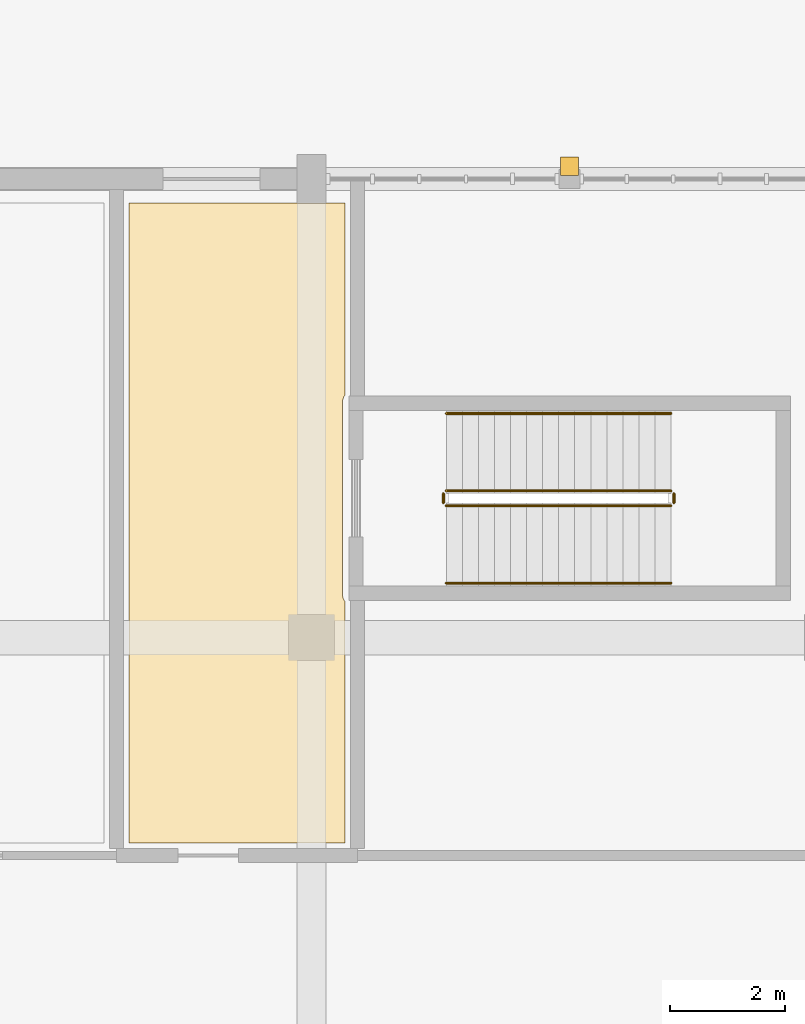
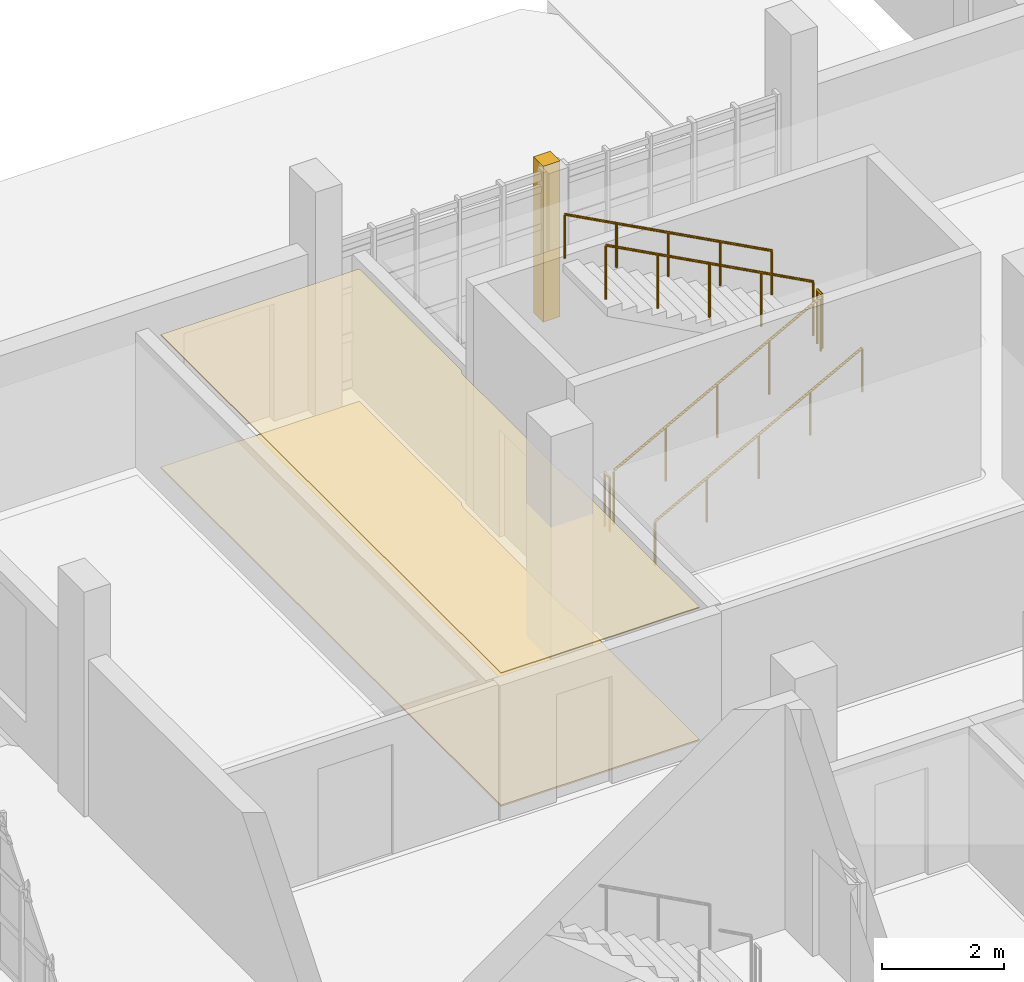
# One storey, part 58 of 63: 6 railings, 3 coverings.
"""IFC4 building model written with IfcOpenShell, lengths in metres."""

from ifc_helpers import new_model, si_unit, direction, frame, origin, origin_2d, place, context, subcontext, project, spatial, polyline, circle, outline, extrude, material, layer, layer_set, type_object, element, save


model = new_model("IFC4")

# Units and contexts
model_context = context("Model", 3, precision=1e-05, world=origin(), true_north=direction((0.0, 1.0)))
body_context = subcontext(model_context, "Body", "Model", "MODEL_VIEW")
ifc_project = project(units=[si_unit("LENGTHUNIT", "METRE"), si_unit("AREAUNIT", "SQUARE_METRE"), si_unit("VOLUMEUNIT", "CUBIC_METRE"), si_unit("PLANEANGLEUNIT", "RADIAN"), si_unit("MASSUNIT", "GRAM", prefix="KILO")], contexts=[model_context])

# Site, building, storey
site_placement = place(None, origin())
site = spatial("IfcSite", under=ifc_project, at=site_placement, CompositionType="ELEMENT")
building_placement = place(site_placement, origin())
building = spatial("IfcBuilding", under=site, at=building_placement, Name="Serraforn Aerial Cableway Station", CompositionType="ELEMENT")
storey_placement = place(building_placement, origin())
storey = spatial("IfcBuildingStorey", under=building, at=storey_placement, Name="L00", CompositionType="ELEMENT", Elevation=0.0)

# Coverings
ifc_material_1 = material(Name="Fluted patinated bronze Art Deco pilaster cladding")
ifc_layer_1 = layer(ifc_material_1, 0.034912109375)
ifc_layer_set_1 = layer_set([ifc_layer_1], Name="Fluted patinated bronze Art Deco pilaster cladding")
covering_type_1 = type_object("IfcCoveringType", Name="COV-CLAD-BRZ", PredefinedType="CLADDING", material=ifc_layer_set_1)
covering_1_placement = place(storey_placement, origin())
element("IfcCovering", 1, at=covering_1_placement, inside=storey, type_object=covering_type_1, Name="Art Deco Bronze Pilaster Cladding CV-L00-N2", PredefinedType="CLADDING", context=body_context, shape_type="SweptSolid", body=[
    extrude(outline(polyline([(40.93994140625, 42.06005859375), (41.260009765625, 42.06005859375), (41.260009765625, 42.3798828125), (40.93994140625, 42.3798828125), (40.93994140625, 42.06005859375)])), origin(), (0.0, 0.0, 1.0), 3.1201171875),
])
ifc_material_2 = material(Name="Fire-protective gypsum board ceiling")
ifc_layer_2 = layer(ifc_material_2, 0.02001953125)
ifc_layer_set_2 = layer_set([ifc_layer_2], Name="Fire-protective gypsum board ceiling")
covering_type_2 = type_object("IfcCoveringType", Name="COV-CLG-GYP", PredefinedType="CEILING", material=ifc_layer_set_2)
covering_2_placement = place(storey_placement, frame((0.0, 0.0, 2.659912109375)))
element("IfcCovering", 2, at=covering_2_placement, inside=storey, type_object=covering_type_2, Name="Suspended Ceiling L00-24", PredefinedType="CEILING", context=body_context, shape_type="SweptSolid", body=[
    extrude(outline(polyline([(37.179931640625, 30.419921875), (33.419921875, 30.419921875), (33.419921875, 41.580078125), (37.179931640625, 41.580078125), (37.179931640625, 38.226318359375), (37.177001953125, 38.22216796875), (37.166015625, 38.20361328125), (37.15673828125, 38.18408203125), (37.1494140625, 38.163818359375), (37.144287109375, 38.142822265625), (37.14111328125, 38.12158203125), (37.139892578125, 38.10009765625), (37.139892578125, 34.760009765625), (37.14111328125, 34.73828125), (37.144287109375, 34.717041015625), (37.1494140625, 34.696044921875), (37.15673828125, 34.67578125), (37.166015625, 34.65625), (37.177001953125, 34.6376953125), (37.179931640625, 34.6337890625), (37.179931640625, 30.419921875)])), origin(), (0.0, 0.0, 1.0), 0.02001953125),
])
ifc_material_3 = material(Name="Honed Montjuic limestone flooring", Category="masonry")
ifc_layer_3 = layer(ifc_material_3, 0.030029296875)
ifc_layer_set_3 = layer_set([ifc_layer_3], Name="Honed Montjuic limestone flooring")
covering_type_3 = type_object("IfcCoveringType", Name="COV-FLR-STN", PredefinedType="FLOORING", material=ifc_layer_set_3)
covering_3_placement = place(storey_placement, origin())
element("IfcCovering", 3, at=covering_3_placement, inside=storey, type_object=covering_type_3, Name="Flooring L00-24", PredefinedType="FLOORING", context=body_context, shape_type="SweptSolid", body=[
    extrude(outline(polyline([(37.179931640625, 30.419921875), (33.419921875, 30.419921875), (33.419921875, 41.580078125), (37.179931640625, 41.580078125), (37.179931640625, 38.226318359375), (37.177001953125, 38.22216796875), (37.166015625, 38.20361328125), (37.15673828125, 38.18408203125), (37.1494140625, 38.163818359375), (37.144287109375, 38.142822265625), (37.14111328125, 38.12158203125), (37.139892578125, 38.10009765625), (37.139892578125, 34.760009765625), (37.14111328125, 34.73828125), (37.144287109375, 34.717041015625), (37.1494140625, 34.696044921875), (37.15673828125, 34.67578125), (37.166015625, 34.65625), (37.177001953125, 34.6376953125), (37.179931640625, 34.6337890625), (37.179931640625, 30.419921875)])), origin(), (0.0, 0.0, 1.0), 0.030029296875),
])

# Railings
ifc_material_4 = material(Name="Patinated bronze stair guardrail")
ifc_layer_4 = layer(ifc_material_4, 0.050048828125)
ifc_layer_set_4 = layer_set([ifc_layer_4], Name="Patinated bronze stair guardrail")
railing_type_1 = type_object("IfcRailingType", Name="RL-STR-GRD", PredefinedType="GUARDRAIL", material=ifc_layer_set_4)
railing_1_placement = place(storey_placement, frame((38.949951171875, 36.300048828125, 0.14990234375)))
element("IfcRailing", 4, at=railing_1_placement, inside=storey, type_object=railing_type_1, Name="L00 ST-04 stair guard 1", PredefinedType="GUARDRAIL", context=body_context, shape_type="SweptSolid", body=[
    extrude(circle(Radius=0.02392578125, at=origin_2d()), frame((0.0, 0.0, 1.076171875), z_axis=(0.881479153919, 0.0, 0.472222935917), x_axis=(0.0, 1.0, 0.0)), (0.0, 0.0, 1.0), 4.447265625),
    extrude(circle(Radius=0.02099609375, at=origin_2d()), origin(), (0.0, 0.0, 1.0), 1.052001953125),
    extrude(circle(Radius=0.02099609375, at=origin_2d()), frame((0.97998046875, 0.0, 0.52490234375)), (0.0, 0.0, 1.0), 1.052001953125),
    extrude(circle(Radius=0.02099609375, at=origin_2d()), frame((1.9599609375, 0.0, 1.050048828125)), (0.0, 0.0, 1.0), 1.052001953125),
    extrude(circle(Radius=0.02099609375, at=origin_2d()), frame((2.940185546875, 0.0, 1.5751953125)), (0.0, 0.0, 1.0), 1.052001953125),
    extrude(circle(Radius=0.02099609375, at=origin_2d()), frame((3.920166015625, 0.0, 2.10009765625)), (0.0, 0.0, 1.0), 1.052001953125),
])
railing_2_placement = place(storey_placement, frame((42.919921875, 36.35009765625, 2.25)))
element("IfcRailing", 5, at=railing_2_placement, inside=storey, type_object=railing_type_1, Name="L00 ST-04 stair guard 2", PredefinedType="GUARDRAIL", context=body_context, shape_type="SweptSolid", body=[
    extrude(circle(Radius=0.02392578125, at=origin_2d()), frame((0.0, 0.0, 1.076171875), z_axis=(0.0, 1.0, 0.0), x_axis=(-1.0, 0.0, 0.0)), (0.0, 0.0, 1.0), 0.159912109375),
    extrude(circle(Radius=0.02099609375, at=origin_2d()), origin(), (0.0, 0.0, 1.0), 1.052001953125),
    extrude(circle(Radius=0.02099609375, at=origin_2d()), frame((0.0, 0.159912109375, 0.0)), (0.0, 0.0, 1.0), 1.052001953125),
])
railing_3_placement = place(storey_placement, frame((42.8701171875, 36.56005859375, 2.39990234375)))
element("IfcRailing", 6, at=railing_3_placement, inside=storey, type_object=railing_type_1, Name="L00 ST-04 stair guard 3", PredefinedType="GUARDRAIL", context=body_context, shape_type="SweptSolid", body=[
    extrude(circle(Radius=0.02392578125, at=origin_2d()), frame((0.0, 0.0, 1.076171875), z_axis=(-0.881479153919, 0.0, 0.472222935917), x_axis=(0.0, -1.0, 0.0)), (0.0, 0.0, 1.0), 4.447265625),
    extrude(circle(Radius=0.02099609375, at=origin_2d()), origin(), (0.0, 0.0, 1.0), 1.052001953125),
    extrude(circle(Radius=0.02099609375, at=origin_2d()), frame((-0.97998046875, 0.0, 0.52490234375)), (0.0, 0.0, 1.0), 1.052001953125),
    extrude(circle(Radius=0.02099609375, at=origin_2d()), frame((-1.9599609375, 0.0, 1.050048828125)), (0.0, 0.0, 1.0), 1.052001953125),
    extrude(circle(Radius=0.02099609375, at=origin_2d()), frame((-2.940185546875, 0.0, 1.5751953125)), (0.0, 0.0, 1.0), 1.052001953125),
    extrude(circle(Radius=0.02099609375, at=origin_2d()), frame((-3.920166015625, 0.0, 2.10009765625)), (0.0, 0.0, 1.0), 1.052001953125),
])
railing_4_placement = place(storey_placement, frame((38.89990234375, 36.35009765625, 0.0)))
element("IfcRailing", 7, at=railing_4_placement, inside=storey, type_object=railing_type_1, Name="L00 ST-04 stair guard 4", PredefinedType="GUARDRAIL", context=body_context, shape_type="SweptSolid", body=[
    extrude(circle(Radius=0.02392578125, at=origin_2d()), frame((0.0, 0.0, 1.076171875), z_axis=(0.0, 1.0, 0.0), x_axis=(-1.0, 0.0, 0.0)), (0.0, 0.0, 1.0), 0.159912109375),
    extrude(circle(Radius=0.02099609375, at=origin_2d()), origin(), (0.0, 0.0, 1.0), 1.052001953125),
    extrude(circle(Radius=0.02099609375, at=origin_2d()), frame((0.0, 0.159912109375, 0.0)), (0.0, 0.0, 1.0), 1.052001953125),
])
ifc_material_5 = material(Name="Brushed bronze tubular handrail")
ifc_layer_5 = layer(ifc_material_5, 0.048095703125)
ifc_layer_set_5 = layer_set([ifc_layer_5], Name="Brushed bronze tubular handrail")
railing_type_2 = type_object("IfcRailingType", Name="RL-STR-HDR", PredefinedType="HANDRAIL", material=ifc_layer_set_5)
railing_5_placement = place(storey_placement, frame((38.949951171875, 34.949951171875, 0.14990234375)))
element("IfcRailing", 8, at=railing_5_placement, inside=storey, type_object=railing_type_2, Name="L00 ST-04 stair handrail 1", PredefinedType="HANDRAIL", context=body_context, shape_type="SweptSolid", body=[
    extrude(circle(Radius=0.02392578125, at=origin_2d()), frame((0.0, 0.0, 0.8759765625), z_axis=(0.881479153919, 0.0, 0.472222935917), x_axis=(0.0, 1.0, 0.0)), (0.0, 0.0, 1.0), 4.447265625),
    extrude(circle(Radius=0.02099609375, at=origin_2d()), origin(), (0.0, 0.0, 1.0), 0.851806640625),
    extrude(circle(Radius=0.02099609375, at=origin_2d()), frame((0.97998046875, 0.0, 0.52490234375)), (0.0, 0.0, 1.0), 0.851806640625),
    extrude(circle(Radius=0.02099609375, at=origin_2d()), frame((1.9599609375, 0.0, 1.050048828125)), (0.0, 0.0, 1.0), 0.851806640625),
    extrude(circle(Radius=0.02099609375, at=origin_2d()), frame((2.940185546875, 0.0, 1.5751953125)), (0.0, 0.0, 1.0), 0.851806640625),
    extrude(circle(Radius=0.02099609375, at=origin_2d()), frame((3.920166015625, 0.0, 2.10009765625)), (0.0, 0.0, 1.0), 0.851806640625),
])
railing_6_placement = place(storey_placement, frame((42.8701171875, 37.909912109375, 2.39990234375)))
element("IfcRailing", 9, at=railing_6_placement, inside=storey, type_object=railing_type_2, Name="L00 ST-04 stair handrail 2", PredefinedType="HANDRAIL", context=body_context, shape_type="SweptSolid", body=[
    extrude(circle(Radius=0.02392578125, at=origin_2d()), frame((0.0, 0.0, 0.8759765625), z_axis=(-0.881479153919, 0.0, 0.472222935917), x_axis=(0.0, -1.0, 0.0)), (0.0, 0.0, 1.0), 4.447265625),
    extrude(circle(Radius=0.02099609375, at=origin_2d()), origin(), (0.0, 0.0, 1.0), 0.851806640625),
    extrude(circle(Radius=0.02099609375, at=origin_2d()), frame((-0.97998046875, 0.0, 0.52490234375)), (0.0, 0.0, 1.0), 0.851806640625),
    extrude(circle(Radius=0.02099609375, at=origin_2d()), frame((-1.9599609375, 0.0, 1.050048828125)), (0.0, 0.0, 1.0), 0.851806640625),
    extrude(circle(Radius=0.02099609375, at=origin_2d()), frame((-2.940185546875, 0.0, 1.5751953125)), (0.0, 0.0, 1.0), 0.851806640625),
    extrude(circle(Radius=0.02099609375, at=origin_2d()), frame((-3.920166015625, 0.0, 2.10009765625)), (0.0, 0.0, 1.0), 0.851806640625),
])

save(model, "model.ifc")
